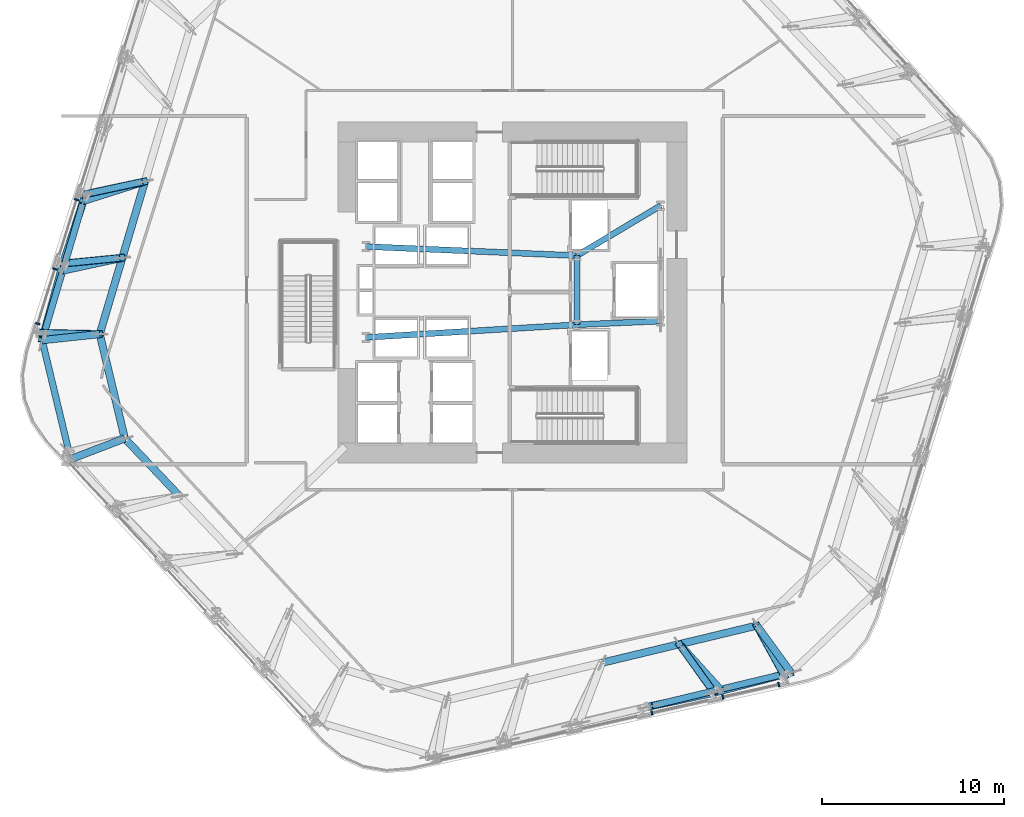
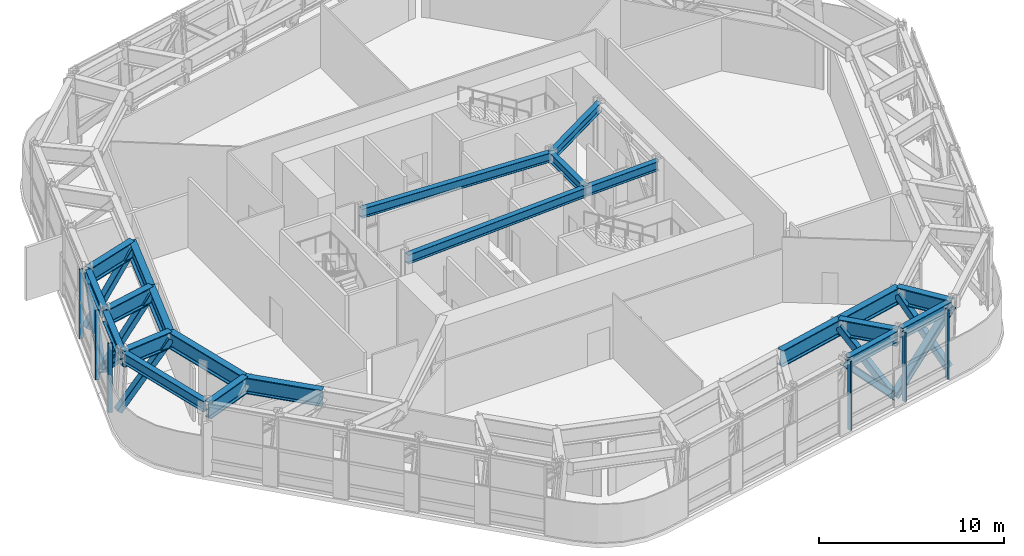
# One storey, part 3 of 16: 22 beams, 15 members, 2 elements without a shape of their own.
"""IFC4 building model written with IfcOpenShell, lengths in metres."""

import ifcopenshell
import ifcopenshell.guid

model = None  # the IFC model being written
_history = None  # IfcOwnerHistory: only IFC2X3 demands one
_inside = {}  # id of a spatial element -> (the spatial element, [elements in it])
_under = {}  # id of a project, library or spatial element -> (it, [spatial elements below it])
_declared = {}  # id of a project -> (the project, [libraries it declares])
_typed = {}  # id of a type object -> (the type object, [elements of that type])
_made_of = {}  # id of a material, layer set ... -> (it, [elements and type objects made of it])


def new_model(schema):
    """Start an empty IFC model of exactly this schema.

    Asked for "IFC4X3", IfcOpenShell would pick the latest addendum, in which some entities
    have other attributes; the version numbers below select the first issue.
    IFC2X3 requires an IfcOwnerHistory on every rooted entity: one is made here for all.
    """
    global model, _history
    if schema == "IFC4X3":
        model = ifcopenshell.file(schema_version=(4, 3, 0, 0))
    else:
        model = ifcopenshell.file(schema=schema)
    _inside.clear()
    _under.clear()
    _declared.clear()
    _typed.clear()
    _made_of.clear()
    _history = None
    if model.schema == "IFC2X3":
        org = make("IfcOrganization", Name="unknown")
        user = make(
            "IfcPersonAndOrganization",
            ThePerson=make("IfcPerson", FamilyName="unknown"),
            TheOrganization=org,
        )
        app = make(
            "IfcApplication",
            ApplicationDeveloper=org,
            Version="unknown",
            ApplicationFullName="unknown",
            ApplicationIdentifier="unknown",
        )
        _history = make(
            "IfcOwnerHistory",
            OwningUser=user,
            OwningApplication=app,
            ChangeAction="ADDED",
            CreationDate=0,
        )
    return model


def make(cls, **values):
    """One entity of the class cls with the attributes given. An attribute that is None is left unset."""
    return model.create_entity(
        cls, **{name: value for name, value in values.items() if value is not None}
    )


def rooted(cls, **values):
    """An entity with a GlobalId (a new one), such as an element, a storey or a relation."""
    return make(cls, GlobalId=ifcopenshell.guid.new(), OwnerHistory=_history, **values)


def si_unit(unit_type, name, prefix=None):
    """IfcSIUnit, for example si_unit("LENGTHUNIT", "METRE", prefix="MILLI")."""
    return make("IfcSIUnit", UnitType=unit_type, Prefix=prefix, Name=name)


def assignment(units):
    """IfcUnitAssignment: the units of a project."""
    return None if units is None else make("IfcUnitAssignment", Units=units)


def point(xyz):
    """IfcCartesianPoint."""
    return None if xyz is None else make("IfcCartesianPoint", Coordinates=xyz)


def direction(xyz):
    """IfcDirection."""
    return None if xyz is None else make("IfcDirection", DirectionRatios=xyz)


def frame(location, z_axis=None, x_axis=None):
    """IfcAxis2Placement3D, a coordinate frame: its origin and axes. An axis left out is left unset."""
    return make(
        "IfcAxis2Placement3D",
        Location=point(location),
        Axis=direction(z_axis),
        RefDirection=direction(x_axis),
    )


def frame_2d(location, x_axis=None):
    """IfcAxis2Placement2D, a coordinate frame in the plane: its origin and x axis."""
    return make(
        "IfcAxis2Placement2D", Location=point(location), RefDirection=direction(x_axis)
    )


def origin():
    """The frame at (0, 0, 0) with its axes left unset."""
    return frame((0.0, 0.0, 0.0))


def origin_2d():
    """The frame at (0, 0) in the plane with its x axis left unset."""
    return frame_2d((0.0, 0.0))


def place(relative_to, where):
    """IfcLocalPlacement: puts the frame where relative to a parent placement (None: the world)."""
    return make(
        "IfcLocalPlacement", PlacementRelTo=relative_to, RelativePlacement=where
    )


def context(
    kind, dimensions, precision=None, world=None, true_north=None, identifier=None
):
    """IfcGeometricRepresentationContext, for example the 3D "Model" context."""
    return make(
        "IfcGeometricRepresentationContext",
        ContextIdentifier=identifier,
        ContextType=kind,
        CoordinateSpaceDimension=dimensions,
        Precision=precision,
        WorldCoordinateSystem=world,
        TrueNorth=true_north,
    )


def subcontext(parent, identifier, kind, view, scale=None):
    """IfcGeometricRepresentationSubContext, for example "Body" below "Model"."""
    return make(
        "IfcGeometricRepresentationSubContext",
        ContextIdentifier=identifier,
        ContextType=kind,
        ParentContext=parent,
        TargetScale=scale,
        TargetView=view,
    )


def project(units=None, contexts=None):
    """IfcProject with its units and contexts."""
    return rooted(
        "IfcProject",
        Name="project",
        RepresentationContexts=contexts,
        UnitsInContext=assignment(units),
    )


def spatial(cls, under=None, at=None, **own):
    """A site, building, storey or space (cls), placed at a placement, below another one or the project."""
    s = rooted(cls, ObjectPlacement=at, **own)
    if under is not None:
        _under.setdefault(under.id(), (under, []))[1].append(s)
    return s


def profile(cls, at=None, kind="AREA", **sizes):
    """A parametric profile (cls). Its sizes go by their IFC names, for example OverallWidth=200.0."""
    return make(cls, ProfileType=kind, Position=at, **sizes)


def rectangle(**sizes):
    """IfcRectangleProfileDef."""
    return profile("IfcRectangleProfileDef", **sizes)


def hollow_rectangle(**sizes):
    """IfcRectangleHollowProfileDef."""
    return profile("IfcRectangleHollowProfileDef", **sizes)


def i_section(**sizes):
    """IfcIShapeProfileDef."""
    return profile("IfcIShapeProfileDef", **sizes)


def extrude(swept, where, along, depth):
    """IfcExtrudedAreaSolid: the profile swept, set in the frame where, extruded along a direction by depth."""
    return make(
        "IfcExtrudedAreaSolid",
        SweptArea=swept,
        Position=where,
        ExtrudedDirection=direction(along),
        Depth=depth,
    )


def shape(context_of_items, identifier, shape_type, items):
    """IfcShapeRepresentation: the items that make up one representation, for example the "Body"."""
    return make(
        "IfcShapeRepresentation",
        ContextOfItems=context_of_items,
        RepresentationIdentifier=identifier,
        RepresentationType=shape_type,
        Items=items,
    )


def material(Name=None, Category=None):
    """IfcMaterial."""
    return make("IfcMaterial", Name=Name, Category=Category)


def layer(
    of_material, thickness, ventilated=None, Name=None, Category=None, Priority=None
):
    """IfcMaterialLayer: one layer of a wall or slab, of a material (None: an air gap)."""
    return make(
        "IfcMaterialLayer",
        Material=of_material,
        LayerThickness=thickness,
        IsVentilated=ventilated,
        Name=Name,
        Category=Category,
        Priority=Priority,
    )


def layer_set(layers, Name=None):
    """IfcMaterialLayerSet."""
    return make("IfcMaterialLayerSet", MaterialLayers=layers, LayerSetName=Name)


def material_profile(
    of_material, cross_section, Name=None, Category=None, Priority=None
):
    """IfcMaterialProfile: a cross section and its material."""
    return make(
        "IfcMaterialProfile",
        Name=Name,
        Material=of_material,
        Profile=cross_section,
        Priority=Priority,
        Category=Category,
    )


def profile_set(profiles, Name=None, composite=None):
    """IfcMaterialProfileSet."""
    return make(
        "IfcMaterialProfileSet",
        Name=Name,
        MaterialProfiles=profiles,
        CompositeProfile=composite,
    )


def made_of(thing, what):
    """Note that an element or type object is made of a material, layer set ...; save() writes the relation."""
    if what is not None:
        _made_of.setdefault(what.id(), (what, []))[1].append(thing)
    return thing


def type_object(cls, material=None, **own):
    """A type object (cls), such as IfcWallType, which elements share."""
    return made_of(rooted(cls, **own), material)


def element(
    cls,
    number,
    at=None,
    inside=None,
    cuts=None,
    type_object=None,
    material=None,
    context=None,
    identifier="Body",
    shape_type=None,
    held_by="IfcProductDefinitionShape",
    body=None,
    shapes=None,
    **own,
):
    """One element of the class cls, such as IfcWall. Its Tag is "e" and its number.

    at: its placement. inside: the storey or other place that contains it. cuts: it is an
    opening in that element (IfcRelVoidsElement). A single representation is given by context,
    identifier, shape_type and body (its items); several are given by shapes. held_by: the class
    of the entity that holds the representations. save() writes the other relations.
    """
    e = rooted(cls, Tag="e%d" % number, ObjectPlacement=at, **own)
    if body is not None:
        shapes = [shape(context, identifier, shape_type, body)]
    if shapes is not None:
        e.Representation = make(held_by, Representations=shapes)
    if inside is not None:
        _inside.setdefault(inside.id(), (inside, []))[1].append(e)
    if cuts is not None:
        rooted(
            "IfcRelVoidsElement", RelatingBuildingElement=cuts, RelatedOpeningElement=e
        )
    if type_object is not None:
        _typed.setdefault(type_object.id(), (type_object, []))[1].append(e)
    return made_of(e, material)


def aggregate(whole, parts):
    """IfcRelAggregates: a whole, such as a stair, and the parts it consists of."""
    return rooted("IfcRelAggregates", RelatingObject=whole, RelatedObjects=parts)


def save(model, path):
    """Write the relations noted so far, then the file.

    IfcRelAggregates (storeys below a building ...), IfcRelContainedInSpatialStructure (elements
    in a storey), IfcRelDefinesByType, IfcRelAssociatesMaterial and IfcRelDeclares: one each for
    every whole, place, type object, material and project.
    """
    for whole, parts in _under.values():
        aggregate(whole, parts)
    for where, things in _inside.values():
        rooted(
            "IfcRelContainedInSpatialStructure",
            RelatedElements=things,
            RelatingStructure=where,
        )
    for kind, things in _typed.values():
        rooted("IfcRelDefinesByType", RelatedObjects=things, RelatingType=kind)
    for what, things in _made_of.values():
        rooted("IfcRelAssociatesMaterial", RelatedObjects=things, RelatingMaterial=what)
    for by, libraries in _declared.values():
        rooted("IfcRelDeclares", RelatingContext=by, RelatedDefinitions=libraries)
    model.write(path)


model = new_model("IFC4")

# Units and contexts
model_context = context("Model", 3, precision=1e-05, world=origin(), true_north=direction((0.0, 1.0)))
body_context = subcontext(model_context, "Body", "Model", "MODEL_VIEW")
ifc_project = project(units=[si_unit("LENGTHUNIT", "METRE"), si_unit("AREAUNIT", "SQUARE_METRE"), si_unit("VOLUMEUNIT", "CUBIC_METRE"), si_unit("PLANEANGLEUNIT", "RADIAN"), si_unit("MASSUNIT", "GRAM", prefix="KILO")], contexts=[model_context])

# Site, building, storey
site_placement = place(None, origin())
site = spatial("IfcSite", under=ifc_project, at=site_placement, CompositionType="ELEMENT")
building_placement = place(site_placement, origin())
building = spatial("IfcBuilding", under=site, at=building_placement, Name="Valkerne Bourse Tower", CompositionType="ELEMENT")
storey_placement = place(building_placement, frame((0.0, 0.0, 77.199951171875)))
storey = spatial("IfcBuildingStorey", under=building, at=storey_placement, Name="L19", CompositionType="ELEMENT", Elevation=77.199951171875)

# Beams
ifc_material_1 = material(Name="Steel ASTM A992", Category="steel")
ifc_material_profile_1 = material_profile(ifc_material_1, i_section(OverallWidth=0.3251953125, OverallDepth=0.612060546875, WebThickness=0.0126953125, FlangeThickness=0.01904296875, FilletRadius=0.020263671875, at=origin_2d()), Name="W24X104")
ifc_profile_set_1 = profile_set([ifc_material_profile_1], Name="Steel ASTM A992")
beam_type_1 = type_object("IfcBeamType", Name="BM-W24X104", PredefinedType="BEAM", material=ifc_profile_set_1)
beam_1_placement = place(storey_placement, frame((50.35009765625, 25.10009765625, 4.274169921875), z_axis=(0.0, 1.0, 0.0), x_axis=(-1.0, 0.0, 0.0)))
element("IfcBeam", 1, at=beam_1_placement, inside=storey, type_object=beam_type_1, Name="L19 Core Frame Girder CG-CE", PredefinedType="BEAM", context=body_context, shape_type="SweptSolid", body=[
    extrude(i_section(OverallWidth=0.3251953125, OverallDepth=0.612060546875, WebThickness=0.0126953125, FlangeThickness=0.01904296875, FilletRadius=0.020263671875, at=origin_2d()), origin(), (0.0, 0.0, 1.0), 3.7998046875),
])
beam_2_placement = place(storey_placement, frame((50.35009765625, 25.10009765625, 4.274169921875), z_axis=(0.999056558506, 0.043428019819, 0.0), x_axis=(-0.043428019819, 0.999056558506, 0.0)))
element("IfcBeam", 2, at=beam_2_placement, inside=storey, type_object=beam_type_1, Name="L19 Core Frame Girder CG-SE", PredefinedType="BEAM", context=body_context, shape_type="SweptSolid", body=[
    extrude(i_section(OverallWidth=0.3251953125, OverallDepth=0.612060546875, WebThickness=0.0126953125, FlangeThickness=0.01904296875, FilletRadius=0.020263671875, at=origin_2d()), origin(), (0.0, 0.0, 1.0), 4.604248046875),
])
beam_3_placement = place(storey_placement, frame((50.35009765625, 28.89990234375, 4.274169921875), z_axis=(0.858307823492, 0.513135148019, 0.0), x_axis=(-0.513135148019, 0.858307823492, 0.0)))
element("IfcBeam", 3, at=beam_3_placement, inside=storey, type_object=beam_type_1, Name="L19 Core Frame Girder CG-NE", PredefinedType="BEAM", context=body_context, shape_type="SweptSolid", body=[
    extrude(i_section(OverallWidth=0.3251953125, OverallDepth=0.612060546875, WebThickness=0.0126953125, FlangeThickness=0.01904296875, FilletRadius=0.020263671875, at=origin_2d()), origin(), (0.0, 0.0, 1.0), 5.359130859375),
])
beam_4_placement = place(storey_placement, frame((38.75, 24.39990234375, 4.274169921875), z_axis=(0.998183228389, 0.060251494276, 0.0), x_axis=(-0.060251494276, 0.998183228389, 0.0)))
element("IfcBeam", 4, at=beam_4_placement, inside=storey, type_object=beam_type_1, Name="L19 Core Frame Girder CG-SW", PredefinedType="BEAM", context=body_context, shape_type="SweptSolid", body=[
    extrude(i_section(OverallWidth=0.3251953125, OverallDepth=0.612060546875, WebThickness=0.0126953125, FlangeThickness=0.01904296875, FilletRadius=0.020263671875, at=origin_2d()), origin(), (0.0, 0.0, 1.0), 11.62109375),
])
beam_5_placement = place(storey_placement, frame((38.75, 29.39990234375, 4.274169921875), z_axis=(0.999072354402, -0.043063101019, 0.0), x_axis=(0.043063101019, 0.999072354402, 0.0)))
element("IfcBeam", 5, at=beam_5_placement, inside=storey, type_object=beam_type_1, Name="L19 Core Frame Girder CG-NW", PredefinedType="BEAM", context=body_context, shape_type="SweptSolid", body=[
    extrude(i_section(OverallWidth=0.3251953125, OverallDepth=0.612060546875, WebThickness=0.0126953125, FlangeThickness=0.01904296875, FilletRadius=0.020263671875, at=origin_2d()), origin(), (0.0, 0.0, 1.0), 11.61083984375),
])
ifc_material_profile_2 = material_profile(ifc_material_1, i_section(OverallWidth=0.358154296875, OverallDepth=0.7060546875, WebThickness=0.018310546875, FlangeThickness=0.0302734375, FilletRadius=0.02294921875, at=origin_2d()), Name="W27X178")
ifc_profile_set_2 = profile_set([ifc_material_profile_2], Name="Steel ASTM A992")
beam_type_2 = type_object("IfcBeamType", Name="BM-W27X178", PredefinedType="SPANDREL", material=ifc_profile_set_2)
for number, where, z_axis, x_axis, name in (
    (6, (23.1416015625, 31.746826171875, 4.22705078125), (-0.283933721115, -0.958843909098, 0.0), (0.958843909098, -0.283933721115, 0.0), "L19 Hexagonal Spandrel Ring Beam 15"),
    (7, (22.0068359375, 27.915283203125, 4.22705078125), (-0.2840132966, -0.958820341542, 0.0), (0.958820341542, -0.2840132966, 0.0), "L19 Hexagonal Spandrel Ring Beam 16"),
):
    element("IfcBeam", number, at=place(storey_placement, frame(where, z_axis=z_axis, x_axis=x_axis)), inside=storey, type_object=beam_type_2, Name=name, PredefinedType="SPANDREL", context=body_context, shape_type="SweptSolid", body=[
        extrude(i_section(OverallWidth=0.358154296875, OverallDepth=0.7060546875, WebThickness=0.018310546875, FlangeThickness=0.0302734375, FilletRadius=0.02294921875, at=origin_2d()), origin(), (0.0, 0.0, 1.0), 3.656005859375),
    ])
beam_6_placement = place(storey_placement, frame((20.959716796875, 24.08154296875, 4.22705078125), z_axis=(0.233479900514, -0.972361628231, 0.0), x_axis=(0.972361628231, 0.233479900514, 0.0)))
element("IfcBeam", 8, at=beam_6_placement, inside=storey, type_object=beam_type_2, Name="L19 Hexagonal Spandrel Ring Beam 17", PredefinedType="SPANDREL", context=body_context, shape_type="SweptSolid", body=[
    extrude(i_section(OverallWidth=0.358154296875, OverallDepth=0.7060546875, WebThickness=0.018310546875, FlangeThickness=0.0302734375, FilletRadius=0.02294921875, at=origin_2d()), origin(), (0.0, 0.0, 1.0), 6.388916015625),
])
beam_7_placement = place(storey_placement, frame((54.518310546875, 4.137939453125, 4.22705078125), z_axis=(0.972366688683, 0.233458824506, 0.0), x_axis=(-0.233458824506, 0.972366688683, 0.0)))
element("IfcBeam", 9, at=beam_7_placement, inside=storey, type_object=beam_type_2, Name="L19 Hexagonal Spandrel Ring Beam 27", PredefinedType="SPANDREL", context=body_context, shape_type="SweptSolid", body=[
    extrude(i_section(OverallWidth=0.358154296875, OverallDepth=0.7060546875, WebThickness=0.018310546875, FlangeThickness=0.0302734375, FilletRadius=0.02294921875, at=origin_2d()), origin(), (0.0, 0.0, 1.0), 3.656005859375),
])
beam_8_placement = place(storey_placement, frame((58.40380859375, 5.07080078125, 4.22705078125), z_axis=(0.972370327977, 0.233443666159, 0.0), x_axis=(-0.233443666159, 0.972370327977, 0.0)))
element("IfcBeam", 10, at=beam_8_placement, inside=storey, type_object=beam_type_2, Name="L19 Hexagonal Spandrel Ring Beam 28", PredefinedType="SPANDREL", context=body_context, shape_type="SweptSolid", body=[
    extrude(i_section(OverallWidth=0.358154296875, OverallDepth=0.7060546875, WebThickness=0.018310546875, FlangeThickness=0.0302734375, FilletRadius=0.02294921875, at=origin_2d()), origin(), (0.0, 0.0, 1.0), 3.65625),
])
ifc_material_2 = material(Name="Steel ASTM A913 Grade 65", Category="steel")
ifc_material_profile_3 = material_profile(ifc_material_2, i_section(OverallWidth=0.408935546875, OverallDepth=1.06689453125, WebThickness=0.031005859375, FlangeThickness=0.055908203125, FilletRadius=0.030517578125, at=origin_2d()), Name="W40X397")
ifc_profile_set_3 = profile_set([ifc_material_profile_3], Name="Steel ASTM A913 Grade 65")
beam_type_3 = type_object("IfcBeamType", Name="BM-W40X397", PredefinedType="BEAM", material=ifc_profile_set_3)
beam_9_placement = place(storey_placement, frame((23.18994140625, 31.909912109375, 4.046630859375), z_axis=(0.952890633147, 0.303314096706, 0.0), x_axis=(-0.303314096706, 0.952890633147, 0.0)))
element("IfcBeam", 11, at=beam_9_placement, inside=storey, type_object=beam_type_3, Name="L19 Radial Setback Transfer Girder Out 12", PredefinedType="BEAM", context=body_context, shape_type="SweptSolid", body=[
    extrude(i_section(OverallWidth=0.408935546875, OverallDepth=1.06689453125, WebThickness=0.031005859375, FlangeThickness=0.055908203125, FilletRadius=0.030517578125, at=origin_2d()), origin(), (0.0, 0.0, 1.0), 3.55859375),
])
beam_10_placement = place(storey_placement, frame((26.580810546875, 32.9892578125, 4.046630859375), z_axis=(-0.284065572337, -0.958804855334, 0.0), x_axis=(0.958804855334, -0.284065572337, 0.0)))
element("IfcBeam", 12, at=beam_10_placement, inside=storey, type_object=beam_type_3, Name="L19 Setback Ring Transfer Girder 12", PredefinedType="BEAM", context=body_context, shape_type="SweptSolid", body=[
    extrude(i_section(OverallWidth=0.408935546875, OverallDepth=1.06689453125, WebThickness=0.031005859375, FlangeThickness=0.055908203125, FilletRadius=0.030517578125, at=origin_2d()), origin(), (0.0, 0.0, 1.0), 4.38330078125),
])
beam_11_placement = place(storey_placement, frame((22.05517578125, 28.078369140625, 4.046630859375), z_axis=(0.977478692062, 0.211034136018, 0.0), x_axis=(-0.211034136018, 0.977478692062, 0.0)))
element("IfcBeam", 13, at=beam_11_placement, inside=storey, type_object=beam_type_3, Name="L19 Radial Setback Transfer Girder Out 13", PredefinedType="BEAM", context=body_context, shape_type="SweptSolid", body=[
    extrude(i_section(OverallWidth=0.408935546875, OverallDepth=1.06689453125, WebThickness=0.031005859375, FlangeThickness=0.055908203125, FilletRadius=0.030517578125, at=origin_2d()), origin(), (0.0, 0.0, 1.0), 3.356201171875),
])
beam_12_placement = place(storey_placement, frame((25.335693359375, 28.78662109375, 4.046630859375), z_axis=(-0.283978324973, -0.958830699835, 0.0), x_axis=(0.958830699835, -0.283978324973, 0.0)))
element("IfcBeam", 14, at=beam_12_placement, inside=storey, type_object=beam_type_3, Name="L19 Setback Ring Transfer Girder 13", PredefinedType="BEAM", context=body_context, shape_type="SweptSolid", body=[
    extrude(i_section(OverallWidth=0.408935546875, OverallDepth=1.06689453125, WebThickness=0.031005859375, FlangeThickness=0.055908203125, FilletRadius=0.030517578125, at=origin_2d()), origin(), (0.0, 0.0, 1.0), 4.3828125),
])
beam_13_placement = place(storey_placement, frame((20.920166015625, 24.246826171875, 4.046630859375), z_axis=(0.994386513937, 0.10580860504, 0.0), x_axis=(-0.10580860504, 0.994386513937, 0.0)))
element("IfcBeam", 15, at=beam_13_placement, inside=storey, type_object=beam_type_3, Name="L19 Radial Setback Transfer Girder Out 14", PredefinedType="BEAM", context=body_context, shape_type="SweptSolid", body=[
    extrude(i_section(OverallWidth=0.408935546875, OverallDepth=1.06689453125, WebThickness=0.031005859375, FlangeThickness=0.055908203125, FilletRadius=0.030517578125, at=origin_2d()), origin(), (0.0, 0.0, 1.0), 3.188720703125),
])
beam_14_placement = place(storey_placement, frame((24.091064453125, 24.584228515625, 4.046630859375), z_axis=(0.23344801533, -0.972369283831, 0.0), x_axis=(0.972369283831, 0.23344801533, 0.0)))
element("IfcBeam", 16, at=beam_14_placement, inside=storey, type_object=beam_type_3, Name="L19 Setback Ring Transfer Girder 14", PredefinedType="BEAM", context=body_context, shape_type="SweptSolid", body=[
    extrude(i_section(OverallWidth=0.408935546875, OverallDepth=1.06689453125, WebThickness=0.031005859375, FlangeThickness=0.055908203125, FilletRadius=0.030517578125, at=origin_2d()), origin(), (0.0, 0.0, 1.0), 5.904541015625),
])
beam_15_placement = place(storey_placement, frame((22.490966796875, 17.703857421875, 4.046630859375), z_axis=(0.934044322998, 0.357157112032, 0.0), x_axis=(-0.357157112032, 0.934044322998, 0.0)))
element("IfcBeam", 17, at=beam_15_placement, inside=storey, type_object=beam_type_3, Name="L19 Radial Setback Transfer Girder Out 15", PredefinedType="BEAM", context=body_context, shape_type="SweptSolid", body=[
    extrude(i_section(OverallWidth=0.408935546875, OverallDepth=1.06689453125, WebThickness=0.031005859375, FlangeThickness=0.055908203125, FilletRadius=0.030517578125, at=origin_2d()), origin(), (0.0, 0.0, 1.0), 3.188720703125),
])
beam_16_placement = place(storey_placement, frame((25.469482421875, 18.8427734375, 4.046630859375), z_axis=(0.688371674661, -0.725358144315, 0.0), x_axis=(0.725358144315, 0.688371674661, 0.0)))
element("IfcBeam", 18, at=beam_16_placement, inside=storey, type_object=beam_type_3, Name="L19 Setback Ring Transfer Girder 15", PredefinedType="BEAM", context=body_context, shape_type="SweptSolid", body=[
    extrude(i_section(OverallWidth=0.408935546875, OverallDepth=1.06689453125, WebThickness=0.031005859375, FlangeThickness=0.055908203125, FilletRadius=0.030517578125, at=origin_2d()), origin(), (0.0, 0.0, 1.0), 4.383056640625),
])
beam_17_placement = place(storey_placement, frame((51.722900390625, 6.494873046875, 4.046630859375), z_axis=(0.972367578817, 0.233455117027, 0.0), x_axis=(-0.233455117027, 0.972367578817, 0.0)))
element("IfcBeam", 19, at=beam_17_placement, inside=storey, type_object=beam_type_3, Name="L19 Setback Ring Transfer Girder 22", PredefinedType="BEAM", context=body_context, shape_type="SweptSolid", body=[
    extrude(i_section(OverallWidth=0.408935546875, OverallDepth=1.06689453125, WebThickness=0.031005859375, FlangeThickness=0.055908203125, FilletRadius=0.030517578125, at=origin_2d()), origin(), (0.0, 0.0, 1.0), 4.3828125),
])
beam_18_placement = place(storey_placement, frame((58.238525390625, 5.031005859375, 4.046630859375), z_axis=(-0.671520672796, 0.740985820382, 0.0), x_axis=(-0.740985820382, -0.671520672796, 0.0)))
element("IfcBeam", 20, at=beam_18_placement, inside=storey, type_object=beam_type_3, Name="L19 Radial Setback Transfer Girder Out 23", PredefinedType="BEAM", context=body_context, shape_type="SweptSolid", body=[
    extrude(i_section(OverallWidth=0.408935546875, OverallDepth=1.06689453125, WebThickness=0.031005859375, FlangeThickness=0.055908203125, FilletRadius=0.030517578125, at=origin_2d()), origin(), (0.0, 0.0, 1.0), 3.3564453125),
])
beam_19_placement = place(storey_placement, frame((55.984619140625, 7.51806640625, 4.046630859375), z_axis=(0.972370614506, 0.23344247267, 0.0), x_axis=(-0.23344247267, 0.972370614506, 0.0)))
element("IfcBeam", 21, at=beam_19_placement, inside=storey, type_object=beam_type_3, Name="L19 Setback Ring Transfer Girder 23", PredefinedType="BEAM", context=body_context, shape_type="SweptSolid", body=[
    extrude(i_section(OverallWidth=0.408935546875, OverallDepth=1.06689453125, WebThickness=0.031005859375, FlangeThickness=0.055908203125, FilletRadius=0.030517578125, at=origin_2d()), origin(), (0.0, 0.0, 1.0), 4.383056640625),
])
beam_20_placement = place(storey_placement, frame((62.124267578125, 5.9638671875, 4.046630859375), z_axis=(-0.588831582783, 0.808255756006, 0.0), x_axis=(-0.808255756006, -0.588831582783, 0.0)))
element("IfcBeam", 22, at=beam_20_placement, inside=storey, type_object=beam_type_3, Name="L19 Radial Setback Transfer Girder Out 24", PredefinedType="BEAM", context=body_context, shape_type="SweptSolid", body=[
    extrude(i_section(OverallWidth=0.408935546875, OverallDepth=1.06689453125, WebThickness=0.031005859375, FlangeThickness=0.055908203125, FilletRadius=0.030517578125, at=origin_2d()), origin(), (0.0, 0.0, 1.0), 3.188720703125),
])

# Curtain wall, members
ifc_material_3 = material(Name="Aluminium AA 6063-T6", Category="aluminium")
ifc_layer = layer(ifc_material_3, 0.25)
ifc_layer_set = layer_set([ifc_layer], Name="Aluminium AA 6063-T6")
curtain_wall_type = type_object("IfcCurtainWallType", Name="CW-06", PredefinedType="NOTDEFINED", material=ifc_layer_set)
curtain_wall_1_placement = place(storey_placement, origin())
curtain_wall_1 = element("IfcCurtainWall", 23, at=curtain_wall_1_placement, inside=storey, type_object=curtain_wall_type, Name="L19 Hexagonal Stick Curtain Wall Face 3", PredefinedType="NOTDEFINED")
ifc_material_profile_4 = material_profile(ifc_material_3, rectangle(XDim=0.090087890625, YDim=0.239990234375, at=origin_2d()), Name="CWM-90X240")
ifc_profile_set_4 = profile_set([ifc_material_profile_4], Name="Aluminium AA 6063-T6")
member_type_1 = type_object("IfcMemberType", Name="CW-MUL-240X90", PredefinedType="MULLION", material=ifc_profile_set_4)
member_1_placement = place(storey_placement, frame((22.820068359375, 31.98095703125, 0.0), z_axis=(0.0, 0.0, 1.0), x_axis=(-0.299028690574, -0.954244120869, 0.0)))
member_1 = element("IfcMember", 24, at=member_1_placement, type_object=member_type_1, Name="CW-L19-F3 Jamb Mullion 03A", PredefinedType="MULLION", context=body_context, shape_type="SweptSolid", body=[
    extrude(rectangle(XDim=0.090087890625, YDim=0.239990234375, at=origin_2d()), origin(), (0.0, 0.0, 1.0), 4.580078125),
])
member_2_placement = place(storey_placement, frame((21.625, 28.167724609375, 0.0), z_axis=(0.0, 0.0, 1.0), x_axis=(-0.299044336827, -0.954239217708, 0.0)))
member_2 = element("IfcMember", 25, at=member_2_placement, type_object=member_type_1, Name="CW-L19-F3 Jamb Mullion 04A", PredefinedType="MULLION", context=body_context, shape_type="SweptSolid", body=[
    extrude(rectangle(XDim=0.090087890625, YDim=0.239990234375, at=origin_2d()), origin(), (0.0, 0.0, 1.0), 4.580078125),
])
member_3_placement = place(storey_placement, frame((20.681396484375, 25.15625, 0.0), z_axis=(0.0, 0.0, 1.0), x_axis=(-0.299044336827, -0.954239217708, 0.0)))
member_3 = element("IfcMember", 26, at=member_3_placement, type_object=member_type_1, Name="CW-L19-F3 Jamb Mullion 04B", PredefinedType="MULLION", context=body_context, shape_type="SweptSolid", body=[
    extrude(rectangle(XDim=0.090087890625, YDim=0.239990234375, at=origin_2d()), origin(), (0.0, 0.0, 1.0), 4.580078125),
])
aggregate(curtain_wall_1, [member_1, member_2, member_3])

curtain_wall_2_placement = place(storey_placement, origin())
curtain_wall_2 = element("IfcCurtainWall", 27, at=curtain_wall_2_placement, inside=storey, type_object=curtain_wall_type, Name="L19 Hexagonal Stick Curtain Wall Face 5", PredefinedType="NOTDEFINED")
member_4_placement = place(storey_placement, frame((54.476318359375, 3.7421875, 0.0), z_axis=(0.0, 0.0, 1.0), x_axis=(0.975917218933, 0.218141196913, 0.0)))
member_4 = element("IfcMember", 28, at=member_4_placement, type_object=member_type_1, Name="CW-L19-F5 Jamb Mullion 03A", PredefinedType="MULLION", context=body_context, shape_type="SweptSolid", body=[
    extrude(rectangle(XDim=0.090087890625, YDim=0.239990234375, at=origin_2d()), origin(), (0.0, 0.0, 1.0), 4.580078125),
])
member_5_placement = place(storey_placement, frame((58.376220703125, 4.614013671875, 0.0), z_axis=(0.0, 0.0, 1.0), x_axis=(0.975917218933, 0.218141196913, 0.0)))
member_5 = element("IfcMember", 29, at=member_5_placement, type_object=member_type_1, Name="CW-L19-F5 Jamb Mullion 04A", PredefinedType="MULLION", context=body_context, shape_type="SweptSolid", body=[
    extrude(rectangle(XDim=0.090087890625, YDim=0.239990234375, at=origin_2d()), origin(), (0.0, 0.0, 1.0), 4.580078125),
])
member_6_placement = place(storey_placement, frame((61.456298828125, 5.302490234375, 0.0), z_axis=(0.0, 0.0, 1.0), x_axis=(0.975917218933, 0.218141196913, 0.0)))
member_6 = element("IfcMember", 30, at=member_6_placement, type_object=member_type_1, Name="CW-L19-F5 Jamb Mullion 04B", PredefinedType="MULLION", context=body_context, shape_type="SweptSolid", body=[
    extrude(rectangle(XDim=0.090087890625, YDim=0.239990234375, at=origin_2d()), origin(), (0.0, 0.0, 1.0), 4.580078125),
])
aggregate(curtain_wall_2, [member_4, member_5, member_6])

# Members
ifc_material_4 = material(Name="Steel ASTM A500 Grade C", Category="steel")
ifc_material_profile_5 = material_profile(ifc_material_4, hollow_rectangle(XDim=0.39990234375, YDim=0.39990234375, WallThickness=0.01611328125, OuterFilletRadius=0.031982421875, at=origin_2d()), Name="HSS400X400X16")
ifc_profile_set_5 = profile_set([ifc_material_profile_5], Name="Steel ASTM A500 Grade C")
member_type_2 = type_object("IfcMemberType", Name="MBR-HSS400X400X16", PredefinedType="BRACE", material=ifc_profile_set_5)
member_7_placement = place(storey_placement, frame((23.27001953125, 32.280029296875, 0.35009765625), z_axis=(0.660460361023, 0.141481996075, 0.737410981952), x_axis=(-0.209465073096, 0.977816129522, 0.0)))
element("IfcMember", 31, at=member_7_placement, inside=storey, type_object=member_type_2, Name="L19 Setback Outrigger Knee Strut 12", PredefinedType="BRACE", context=body_context, shape_type="SweptSolid", body=[
    extrude(hollow_rectangle(XDim=0.39990234375, YDim=0.39990234375, WallThickness=0.01611328125, OuterFilletRadius=0.031982421875, at=origin_2d()), origin(), (0.0, 0.0, 1.0), 5.012939453125),
])
member_8_placement = place(storey_placement, frame((22.0751953125, 28.466796875, 0.35009765625), z_axis=(0.660102451181, 0.064749847327, 0.748379723948), x_axis=(-0.097622078664, 0.995223557678, 0.0)))
element("IfcMember", 32, at=member_8_placement, inside=storey, type_object=member_type_2, Name="L19 Setback Outrigger Knee Strut 13", PredefinedType="BRACE", context=body_context, shape_type="SweptSolid", body=[
    extrude(hollow_rectangle(XDim=0.39990234375, YDim=0.39990234375, WallThickness=0.01611328125, OuterFilletRadius=0.031982421875, at=origin_2d()), origin(), (0.0, 0.0, 1.0), 4.939453125),
])
member_9_placement = place(storey_placement, frame((20.880126953125, 24.65380859375, 0.35009765625), z_axis=(0.655712453492, -0.014209097418, 0.754876996527), x_axis=(0.02166462203, 0.999765294533, 0.0)))
element("IfcMember", 33, at=member_9_placement, inside=storey, type_object=member_type_2, Name="L19 Setback Outrigger Knee Strut 14", PredefinedType="BRACE", context=body_context, shape_type="SweptSolid", body=[
    extrude(hollow_rectangle(XDim=0.39990234375, YDim=0.39990234375, WallThickness=0.01611328125, OuterFilletRadius=0.031982421875, at=origin_2d()), origin(), (0.0, 0.0, 1.0), 4.89697265625),
])
member_10_placement = place(storey_placement, frame((57.89208984375, 4.85400390625, 0.35009765625), z_axis=(-0.386155909517, 0.539323343742, 0.748340794318), x_axis=(-0.813073416695, -0.582161162449, 0.0)))
element("IfcMember", 34, at=member_10_placement, inside=storey, type_object=member_type_2, Name="L19 Setback Outrigger Knee Strut 23", PredefinedType="BRACE", context=body_context, shape_type="SweptSolid", body=[
    extrude(hollow_rectangle(XDim=0.39990234375, YDim=0.39990234375, WallThickness=0.01611328125, OuterFilletRadius=0.031982421875, at=origin_2d()), origin(), (0.0, 0.0, 1.0), 4.939697265625),
])
member_11_placement = place(storey_placement, frame((61.7919921875, 5.725830078125, 0.35009765625), z_axis=(-0.315591690985, 0.574945241775, 0.754877376493), x_axis=(-0.876620047708, -0.481183220776, 0.0)))
element("IfcMember", 35, at=member_11_placement, inside=storey, type_object=member_type_2, Name="L19 Setback Outrigger Knee Strut 24", PredefinedType="BRACE", context=body_context, shape_type="SweptSolid", body=[
    extrude(hollow_rectangle(XDim=0.39990234375, YDim=0.39990234375, WallThickness=0.01611328125, OuterFilletRadius=0.031982421875, at=origin_2d()), origin(), (0.0, 0.0, 1.0), 4.89697265625),
])
ifc_material_profile_6 = material_profile(ifc_material_2, i_section(OverallWidth=0.408935546875, OverallDepth=0.42431640625, WebThickness=0.03271484375, FlangeThickness=0.052490234375, FilletRadius=0.025390625, at=origin_2d()), Name="W14X283")
ifc_profile_set_6 = profile_set([ifc_material_profile_6], Name="Steel ASTM A913 Grade 65")
member_type_3 = type_object("IfcMemberType", Name="MBR-W14X283", PredefinedType="BRACE", material=ifc_profile_set_6)
member_12_placement = place(storey_placement, frame((22.0751953125, 28.466796875, 0.35009765625), z_axis=(0.210100731611, 0.648937936467, 0.731257298897), x_axis=(-0.951379996543, 0.308019645765, 0.0)))
element("IfcMember", 36, at=member_12_placement, inside=storey, type_object=member_type_3, Name="L19 Perimeter Belt Truss Diagonal 15", PredefinedType="BRACE", context=body_context, shape_type="SweptSolid", body=[
    extrude(i_section(OverallWidth=0.408935546875, OverallDepth=0.42431640625, WebThickness=0.03271484375, FlangeThickness=0.052490234375, FilletRadius=0.025390625, at=origin_2d()), origin(), (0.0, 0.0, 1.0), 5.3056640625),
])
member_13_placement = place(storey_placement, frame((22.0751953125, 28.466796875, 0.35009765625), z_axis=(-0.197518155794, -0.721644752251, 0.66348732443), x_axis=(0.964523905553, -0.263995521965, 0.0)))
element("IfcMember", 37, at=member_13_placement, inside=storey, type_object=member_type_3, Name="L19 Perimeter Belt Truss Diagonal 16", PredefinedType="BRACE", context=body_context, shape_type="SweptSolid", body=[
    extrude(i_section(OverallWidth=0.408935546875, OverallDepth=0.42431640625, WebThickness=0.03271484375, FlangeThickness=0.052490234375, FilletRadius=0.025390625, at=origin_2d()), origin(), (0.0, 0.0, 1.0), 5.84765625),
])
member_14_placement = place(storey_placement, frame((57.89208984375, 4.85400390625, 0.35009765625), z_axis=(-0.667038267522, -0.142463471044, 0.731275672424), x_axis=(0.208865599007, -0.977944355038, 0.0)))
element("IfcMember", 38, at=member_14_placement, inside=storey, type_object=member_type_3, Name="L19 Perimeter Belt Truss Diagonal 27", PredefinedType="BRACE", context=body_context, shape_type="SweptSolid", body=[
    extrude(i_section(OverallWidth=0.408935546875, OverallDepth=0.42431640625, WebThickness=0.03271484375, FlangeThickness=0.052490234375, FilletRadius=0.025390625, at=origin_2d()), origin(), (0.0, 0.0, 1.0), 5.3056640625),
])
member_15_placement = place(storey_placement, frame((57.89208984375, 4.85400390625, 0.35009765625), z_axis=(0.723722934176, 0.189792008005, 0.663478792612), x_axis=(-0.253666471087, 0.967291745776, 0.0)))
element("IfcMember", 39, at=member_15_placement, inside=storey, type_object=member_type_3, Name="L19 Perimeter Belt Truss Diagonal 28", PredefinedType="BRACE", context=body_context, shape_type="SweptSolid", body=[
    extrude(i_section(OverallWidth=0.408935546875, OverallDepth=0.42431640625, WebThickness=0.03271484375, FlangeThickness=0.052490234375, FilletRadius=0.025390625, at=origin_2d()), origin(), (0.0, 0.0, 1.0), 5.847900390625),
])

save(model, "model.ifc")
